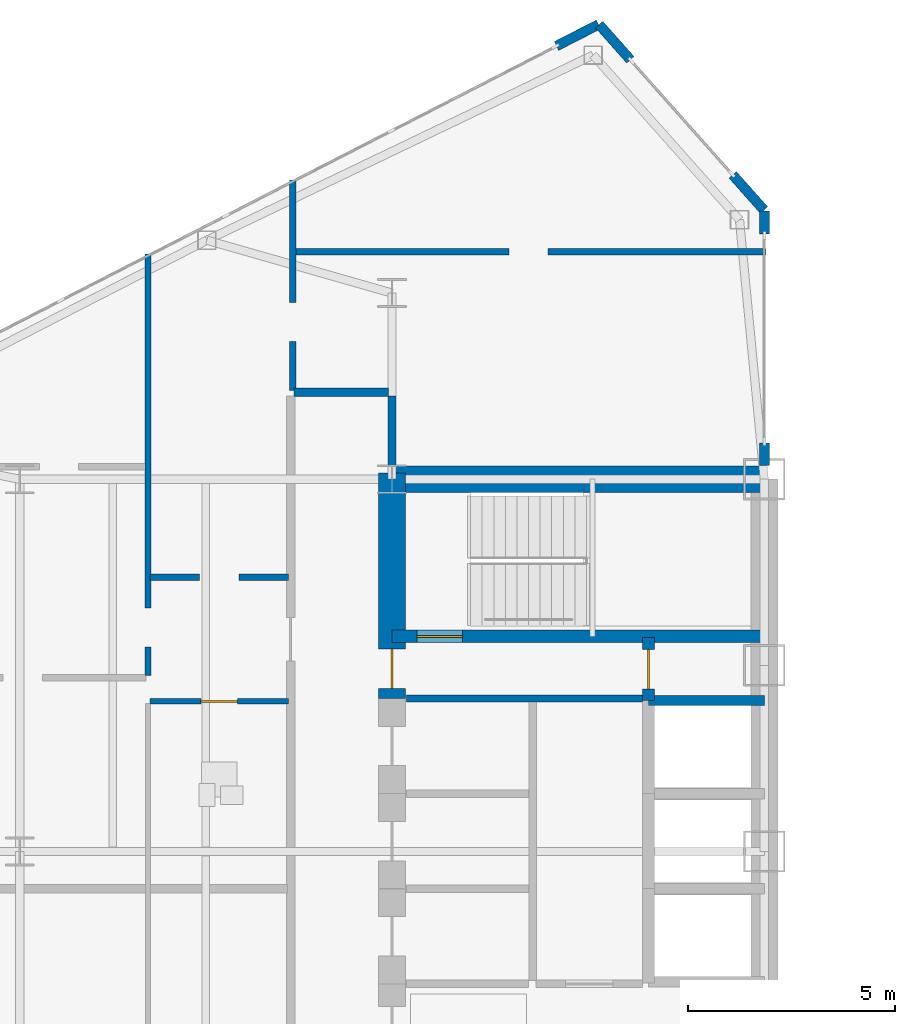
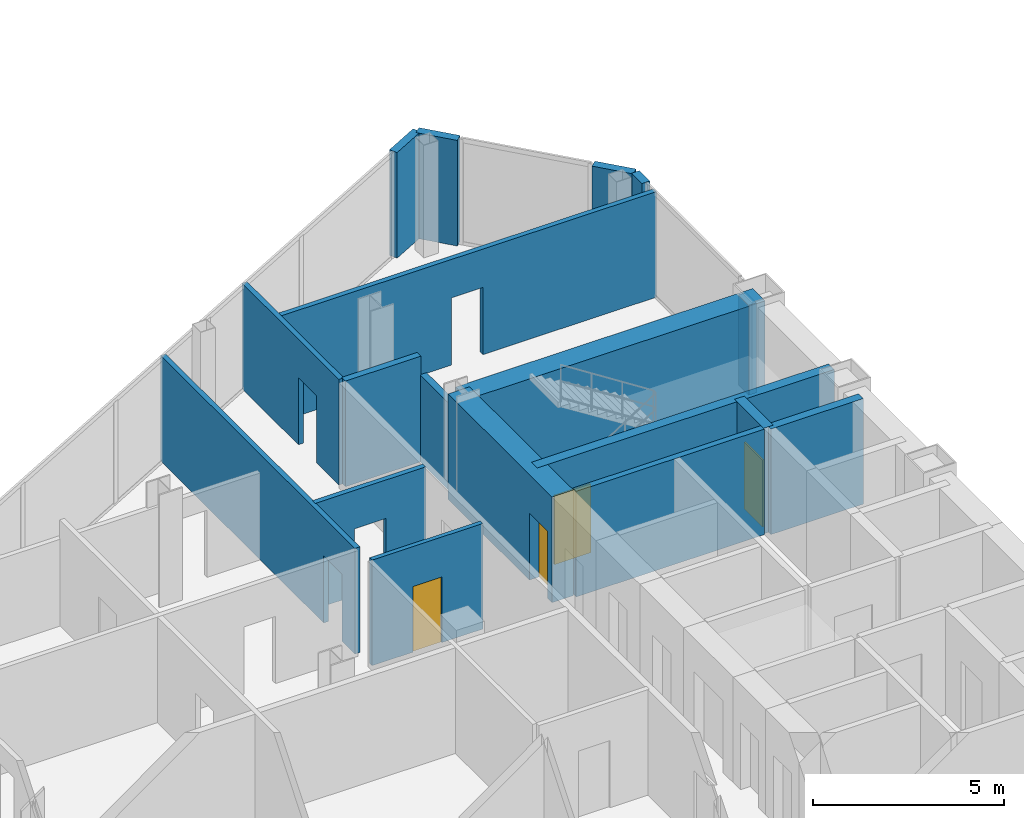
# One storey, part 18 of 24: 18 walls, 4 doors, 8 openings.
"""IFC4 building model written with IfcOpenShell, lengths in metres."""

import ifcopenshell
import ifcopenshell.guid

model = None  # the IFC model being written
_history = None  # IfcOwnerHistory: only IFC2X3 demands one
_inside = {}  # id of a spatial element -> (the spatial element, [elements in it])
_under = {}  # id of a project, library or spatial element -> (it, [spatial elements below it])
_declared = {}  # id of a project -> (the project, [libraries it declares])
_typed = {}  # id of a type object -> (the type object, [elements of that type])
_made_of = {}  # id of a material, layer set ... -> (it, [elements and type objects made of it])


def new_model(schema):
    """Start an empty IFC model of exactly this schema.

    Asked for "IFC4X3", IfcOpenShell would pick the latest addendum, in which some entities
    have other attributes; the version numbers below select the first issue.
    IFC2X3 requires an IfcOwnerHistory on every rooted entity: one is made here for all.
    """
    global model, _history
    if schema == "IFC4X3":
        model = ifcopenshell.file(schema_version=(4, 3, 0, 0))
    else:
        model = ifcopenshell.file(schema=schema)
    _inside.clear()
    _under.clear()
    _declared.clear()
    _typed.clear()
    _made_of.clear()
    _history = None
    if model.schema == "IFC2X3":
        org = make("IfcOrganization", Name="unknown")
        user = make(
            "IfcPersonAndOrganization",
            ThePerson=make("IfcPerson", FamilyName="unknown"),
            TheOrganization=org,
        )
        app = make(
            "IfcApplication",
            ApplicationDeveloper=org,
            Version="unknown",
            ApplicationFullName="unknown",
            ApplicationIdentifier="unknown",
        )
        _history = make(
            "IfcOwnerHistory",
            OwningUser=user,
            OwningApplication=app,
            ChangeAction="ADDED",
            CreationDate=0,
        )
    return model


def make(cls, **values):
    """One entity of the class cls with the attributes given. An attribute that is None is left unset."""
    return model.create_entity(
        cls, **{name: value for name, value in values.items() if value is not None}
    )


def rooted(cls, **values):
    """An entity with a GlobalId (a new one), such as an element, a storey or a relation."""
    return make(cls, GlobalId=ifcopenshell.guid.new(), OwnerHistory=_history, **values)


def si_unit(unit_type, name, prefix=None):
    """IfcSIUnit, for example si_unit("LENGTHUNIT", "METRE", prefix="MILLI")."""
    return make("IfcSIUnit", UnitType=unit_type, Prefix=prefix, Name=name)


def assignment(units):
    """IfcUnitAssignment: the units of a project."""
    return None if units is None else make("IfcUnitAssignment", Units=units)


def point(xyz):
    """IfcCartesianPoint."""
    return None if xyz is None else make("IfcCartesianPoint", Coordinates=xyz)


def direction(xyz):
    """IfcDirection."""
    return None if xyz is None else make("IfcDirection", DirectionRatios=xyz)


def frame(location, z_axis=None, x_axis=None):
    """IfcAxis2Placement3D, a coordinate frame: its origin and axes. An axis left out is left unset."""
    return make(
        "IfcAxis2Placement3D",
        Location=point(location),
        Axis=direction(z_axis),
        RefDirection=direction(x_axis),
    )


def frame_2d(location, x_axis=None):
    """IfcAxis2Placement2D, a coordinate frame in the plane: its origin and x axis."""
    return make(
        "IfcAxis2Placement2D", Location=point(location), RefDirection=direction(x_axis)
    )


def origin():
    """The frame at (0, 0, 0) with its axes left unset."""
    return frame((0.0, 0.0, 0.0))


def place(relative_to, where):
    """IfcLocalPlacement: puts the frame where relative to a parent placement (None: the world)."""
    return make(
        "IfcLocalPlacement", PlacementRelTo=relative_to, RelativePlacement=where
    )


def context(
    kind, dimensions, precision=None, world=None, true_north=None, identifier=None
):
    """IfcGeometricRepresentationContext, for example the 3D "Model" context."""
    return make(
        "IfcGeometricRepresentationContext",
        ContextIdentifier=identifier,
        ContextType=kind,
        CoordinateSpaceDimension=dimensions,
        Precision=precision,
        WorldCoordinateSystem=world,
        TrueNorth=true_north,
    )


def subcontext(parent, identifier, kind, view, scale=None):
    """IfcGeometricRepresentationSubContext, for example "Body" below "Model"."""
    return make(
        "IfcGeometricRepresentationSubContext",
        ContextIdentifier=identifier,
        ContextType=kind,
        ParentContext=parent,
        TargetScale=scale,
        TargetView=view,
    )


def project(units=None, contexts=None):
    """IfcProject with its units and contexts."""
    return rooted(
        "IfcProject",
        Name="project",
        RepresentationContexts=contexts,
        UnitsInContext=assignment(units),
    )


def spatial(cls, under=None, at=None, **own):
    """A site, building, storey or space (cls), placed at a placement, below another one or the project."""
    s = rooted(cls, ObjectPlacement=at, **own)
    if under is not None:
        _under.setdefault(under.id(), (under, []))[1].append(s)
    return s


def profile(cls, at=None, kind="AREA", **sizes):
    """A parametric profile (cls). Its sizes go by their IFC names, for example OverallWidth=200.0."""
    return make(cls, ProfileType=kind, Position=at, **sizes)


def rectangle(**sizes):
    """IfcRectangleProfileDef."""
    return profile("IfcRectangleProfileDef", **sizes)


def extrude(swept, where, along, depth):
    """IfcExtrudedAreaSolid: the profile swept, set in the frame where, extruded along a direction by depth."""
    return make(
        "IfcExtrudedAreaSolid",
        SweptArea=swept,
        Position=where,
        ExtrudedDirection=direction(along),
        Depth=depth,
    )


def shape(context_of_items, identifier, shape_type, items):
    """IfcShapeRepresentation: the items that make up one representation, for example the "Body"."""
    return make(
        "IfcShapeRepresentation",
        ContextOfItems=context_of_items,
        RepresentationIdentifier=identifier,
        RepresentationType=shape_type,
        Items=items,
    )


def source(mapping_origin, context_of_items, identifier, shape_type, items):
    """IfcRepresentationMap: a shape defined once, which mapped items show again and again."""
    return make(
        "IfcRepresentationMap",
        MappingOrigin=mapping_origin,
        MappedRepresentation=shape(context_of_items, identifier, shape_type, items),
    )


def transform(
    local_origin,
    x_axis=None,
    y_axis=None,
    z_axis=None,
    scale=None,
    scale2=None,
    scale3=None,
    uniform=True,
):
    """IfcCartesianTransformationOperator3D, or its non-uniform kind. x_axis, y_axis, z_axis: its Axis1, 2, 3."""
    if uniform:
        return make(
            "IfcCartesianTransformationOperator3D",
            Axis1=direction(x_axis),
            Axis2=direction(y_axis),
            LocalOrigin=point(local_origin),
            Scale=scale,
            Axis3=direction(z_axis),
        )
    return make(
        "IfcCartesianTransformationOperator3DnonUniform",
        Axis1=direction(x_axis),
        Axis2=direction(y_axis),
        LocalOrigin=point(local_origin),
        Scale=scale,
        Axis3=direction(z_axis),
        Scale2=scale2,
        Scale3=scale3,
    )


def mapped(mapping_source, mapping_target):
    """IfcMappedItem: shows the shape of a source again, moved by a transform."""
    return make(
        "IfcMappedItem", MappingSource=mapping_source, MappingTarget=mapping_target
    )


def material(Name=None, Category=None):
    """IfcMaterial."""
    return make("IfcMaterial", Name=Name, Category=Category)


def layer(
    of_material, thickness, ventilated=None, Name=None, Category=None, Priority=None
):
    """IfcMaterialLayer: one layer of a wall or slab, of a material (None: an air gap)."""
    return make(
        "IfcMaterialLayer",
        Material=of_material,
        LayerThickness=thickness,
        IsVentilated=ventilated,
        Name=Name,
        Category=Category,
        Priority=Priority,
    )


def layer_set(layers, Name=None):
    """IfcMaterialLayerSet."""
    return make("IfcMaterialLayerSet", MaterialLayers=layers, LayerSetName=Name)


def made_of(thing, what):
    """Note that an element or type object is made of a material, layer set ...; save() writes the relation."""
    if what is not None:
        _made_of.setdefault(what.id(), (what, []))[1].append(thing)
    return thing


def type_object(cls, material=None, **own):
    """A type object (cls), such as IfcWallType, which elements share."""
    return made_of(rooted(cls, **own), material)


def type_shapes(of_type, sources):
    """Give a type object the sources (RepresentationMaps) that its elements show as mapped items."""
    of_type.RepresentationMaps = sources


def element(
    cls,
    number,
    at=None,
    inside=None,
    cuts=None,
    type_object=None,
    material=None,
    context=None,
    identifier="Body",
    shape_type=None,
    held_by="IfcProductDefinitionShape",
    body=None,
    shapes=None,
    **own,
):
    """One element of the class cls, such as IfcWall. Its Tag is "e" and its number.

    at: its placement. inside: the storey or other place that contains it. cuts: it is an
    opening in that element (IfcRelVoidsElement). A single representation is given by context,
    identifier, shape_type and body (its items); several are given by shapes. held_by: the class
    of the entity that holds the representations. save() writes the other relations.
    """
    e = rooted(cls, Tag="e%d" % number, ObjectPlacement=at, **own)
    if body is not None:
        shapes = [shape(context, identifier, shape_type, body)]
    if shapes is not None:
        e.Representation = make(held_by, Representations=shapes)
    if inside is not None:
        _inside.setdefault(inside.id(), (inside, []))[1].append(e)
    if cuts is not None:
        rooted(
            "IfcRelVoidsElement", RelatingBuildingElement=cuts, RelatedOpeningElement=e
        )
    if type_object is not None:
        _typed.setdefault(type_object.id(), (type_object, []))[1].append(e)
    return made_of(e, material)


def fill(opening, filler):
    """IfcRelFillsElement: the door or window that sits in an opening."""
    return rooted(
        "IfcRelFillsElement",
        RelatingOpeningElement=opening,
        RelatedBuildingElement=filler,
    )


def aggregate(whole, parts):
    """IfcRelAggregates: a whole, such as a stair, and the parts it consists of."""
    return rooted("IfcRelAggregates", RelatingObject=whole, RelatedObjects=parts)


def save(model, path):
    """Write the relations noted so far, then the file.

    IfcRelAggregates (storeys below a building ...), IfcRelContainedInSpatialStructure (elements
    in a storey), IfcRelDefinesByType, IfcRelAssociatesMaterial and IfcRelDeclares: one each for
    every whole, place, type object, material and project.
    """
    for whole, parts in _under.values():
        aggregate(whole, parts)
    for where, things in _inside.values():
        rooted(
            "IfcRelContainedInSpatialStructure",
            RelatedElements=things,
            RelatingStructure=where,
        )
    for kind, things in _typed.values():
        rooted("IfcRelDefinesByType", RelatedObjects=things, RelatingType=kind)
    for what, things in _made_of.values():
        rooted("IfcRelAssociatesMaterial", RelatedObjects=things, RelatingMaterial=what)
    for by, libraries in _declared.values():
        rooted("IfcRelDeclares", RelatingContext=by, RelatedDefinitions=libraries)
    model.write(path)


model = new_model("IFC4")

# Units and contexts
model_context = context("Model", 3, precision=1e-05, world=origin(), true_north=direction((0.0, 1.0)))
body_context = subcontext(model_context, "Body", "Model", "MODEL_VIEW")
ifc_project = project(units=[si_unit("LENGTHUNIT", "METRE"), si_unit("AREAUNIT", "SQUARE_METRE"), si_unit("VOLUMEUNIT", "CUBIC_METRE"), si_unit("PLANEANGLEUNIT", "RADIAN"), si_unit("MASSUNIT", "GRAM", prefix="KILO")], contexts=[model_context])

# Site, building, storey
site_placement = place(None, origin())
site = spatial("IfcSite", under=ifc_project, at=site_placement, CompositionType="ELEMENT")
building_placement = place(site_placement, origin())
building = spatial("IfcBuilding", under=site, at=building_placement, Name="Seokmaru Belvedere", CompositionType="ELEMENT")
storey_placement = place(building_placement, frame((0.0, 0.0, 121.199951171875)))
storey = spatial("IfcBuildingStorey", under=building, at=storey_placement, Name="L32", CompositionType="ELEMENT", Elevation=121.199951171875)

# Wall, opening
ifc_material_1 = material(Name="Fire-Rated Gypsum Shaftwall")
ifc_layer_1 = layer(ifc_material_1, 0.14990234375)
ifc_layer_set_1 = layer_set([ifc_layer_1], Name="Fire-Rated Gypsum Shaftwall")
wall_type_1 = type_object("IfcWallType", Name="Apartment Fire-Acoustic Room Partition 150", PredefinedType="PARTITIONING", material=ifc_layer_set_1)
wall_1_placement = place(storey_placement, frame((-42.35009765625, 11.1298828125, 0.0), z_axis=(0.0, 0.0, 1.0), x_axis=(1.0, 0.0, 0.0)))
wall_1 = element("IfcWall", 1, at=wall_1_placement, inside=storey, type_object=wall_type_1, Name="L32 Interior Partition 022", PredefinedType="PARTITIONING", context=body_context, shape_type="SweptSolid", body=[
    extrude(rectangle(XDim=3.35009765625, YDim=0.14990234375, at=frame_2d((1.675048828125, 0.0))), origin(), (0.0, 0.0, 1.0), 3.380126953125),
])
opening_1_placement = place(wall_1_placement, frame((1.199951171875, 0.0, 0.0)))
element("IfcOpeningElement", 2, at=opening_1_placement, cuts=wall_1, Name="L32 Cased Opening 018", PredefinedType="OPENING", context=body_context, shape_type="SweptSolid", body=[
    extrude(rectangle(XDim=0.949951171875, YDim=2.14990234375, at=frame_2d((0.47509765625, 1.074951171875))), frame((0.0, 0.0849609375, 0.0), z_axis=(0.0, -1.0, 0.0), x_axis=(1.0, 0.0, 0.0)), (0.0, 0.0, 1.0), 0.169921875),
])

wall_2_placement = place(storey_placement, frame((-38.85009765625, 19.0, 0.0), z_axis=(0.0, 0.0, 1.0), x_axis=(1.0, 0.0, 0.0)))
wall_2 = element("IfcWall", 3, at=wall_2_placement, inside=storey, type_object=wall_type_1, Name="L32 Interior Partition 026", PredefinedType="PARTITIONING", context=body_context, shape_type="SweptSolid", body=[
    extrude(rectangle(XDim=11.385009765625, YDim=0.14990234375, at=frame_2d((5.6923828125, 0.0))), origin(), (0.0, 0.0, 1.0), 3.380126953125),
])
opening_2_placement = place(wall_2_placement, frame((5.175048828125, 0.0, 0.0)))
element("IfcOpeningElement", 4, at=opening_2_placement, cuts=wall_2, Name="L32 Cased Opening 028", PredefinedType="OPENING", context=body_context, shape_type="SweptSolid", body=[
    extrude(rectangle(XDim=0.949951171875, YDim=2.14990234375, at=frame_2d((0.47509765625, 1.074951171875))), frame((0.0, 0.0849609375, 0.0), z_axis=(0.0, -1.0, 0.0), x_axis=(1.0, 0.0, 0.0)), (0.0, 0.0, 1.0), 0.169921875),
])

wall_3_placement = place(storey_placement, frame((-42.39990234375, 8.751953125, 0.0), z_axis=(0.0, 0.0, 1.0), x_axis=(0.0, 1.0, 0.0)))
wall_3 = element("IfcWall", 5, at=wall_3_placement, inside=storey, type_object=wall_type_1, Name="L32 Interior Partition 032", PredefinedType="PARTITIONING", context=body_context, shape_type="SweptSolid", body=[
    extrude(rectangle(XDim=10.18994140625, YDim=0.14990234375, at=frame_2d((5.094970703125, 0.0))), origin(), (0.0, 0.0, 1.0), 3.380126953125),
])
opening_3_placement = place(wall_3_placement, frame((0.687744140625, 0.0, 0.0)))
element("IfcOpeningElement", 6, at=opening_3_placement, cuts=wall_3, Name="L32 Cased Opening 019", PredefinedType="OPENING", context=body_context, shape_type="SweptSolid", body=[
    extrude(rectangle(XDim=0.949951171875, YDim=2.14990234375, at=frame_2d((0.47509765625, 1.074951171875))), frame((0.0, 0.0849609375, 0.0), z_axis=(0.0, -1.0, 0.0), x_axis=(1.0, 0.0, 0.0)), (0.0, 0.0, 1.0), 0.169921875),
])

wall_4_placement = place(storey_placement, frame((-38.89990234375, 15.64990234375, 0.0), z_axis=(0.0, 0.0, 1.0), x_axis=(0.0, 1.0, 0.0)))
wall_4 = element("IfcWall", 7, at=wall_4_placement, inside=storey, type_object=wall_type_1, Name="L32 Interior Partition 034", PredefinedType="PARTITIONING", context=body_context, shape_type="SweptSolid", body=[
    extrude(rectangle(XDim=5.088134765625, YDim=0.14990234375, at=frame_2d((2.5439453125, 0.0))), origin(), (0.0, 0.0, 1.0), 3.380126953125),
])
opening_4_placement = place(wall_4_placement, frame((1.175048828125, 0.0, 0.0)))
element("IfcOpeningElement", 8, at=opening_4_placement, cuts=wall_4, Name="L32 Cased Opening 027", PredefinedType="OPENING", context=body_context, shape_type="SweptSolid", body=[
    extrude(rectangle(XDim=0.949951171875, YDim=2.14990234375, at=frame_2d((0.47509765625, 1.074951171875))), frame((0.0, 0.0849609375, 0.0), z_axis=(0.0, -1.0, 0.0), x_axis=(1.0, 0.0, 0.0)), (0.0, 0.0, 1.0), 0.169921875),
])

# Walls
ifc_layer_2 = layer(ifc_material_1, 0.179931640625)
ifc_layer_set_2 = layer_set([ifc_layer_2], Name="Fire-Rated Gypsum Shaftwall")
wall_type_2 = type_object("IfcWallType", Name="Core Service Fire Partition 180", PredefinedType="PARTITIONING", material=ifc_layer_set_2)
wall_5_placement = place(storey_placement, frame((-36.14990234375, 8.199951171875, 0.0), z_axis=(0.0, 0.0, 1.0), x_axis=(1.0, 0.0, 0.0)))
element("IfcWall", 9, at=wall_5_placement, inside=storey, type_object=wall_type_2, Name="L32 West Smokeproof Vestibule Partition", PredefinedType="PARTITIONING", context=body_context, shape_type="SweptSolid", body=[
    extrude(rectangle(XDim=5.699951171875, YDim=0.179931640625, at=frame_2d((2.85009765625, 0.0))), origin(), (0.0, 0.0, 1.0), 3.380126953125),
])
ifc_material_2 = material(Name="Concrete C50 (50 MPa)", Category="concrete")
ifc_layer_3 = layer(ifc_material_2, 0.25)
ifc_layer_set_3 = layer_set([ifc_layer_3], Name="Concrete C50 (50 MPa)")
wall_type_3 = type_object("IfcWallType", Name="Hoistway Transverse Concrete Divider Wall 250", PredefinedType="SHEAR", material=ifc_layer_set_3)
wall_6_placement = place(storey_placement, frame((-30.300048828125, 8.14990234375, 0.0), z_axis=(0.0, 0.0, 1.0), x_axis=(1.0, 0.0, 0.0)))
element("IfcWall", 10, at=wall_6_placement, inside=storey, type_object=wall_type_3, Name="L32 West Hoistway Divider Core Wall 7", PredefinedType="SHEAR", context=body_context, shape_type="SweptSolid", body=[
    extrude(rectangle(XDim=2.800048828125, YDim=0.25, at=frame_2d((1.39990234375, 0.0))), origin(), (0.0, 0.0, 1.0), 3.380126953125),
])
ifc_layer_4 = layer(ifc_material_1, 0.199951171875)
ifc_layer_set_4 = layer_set([ifc_layer_4], Name="Fire-Rated Gypsum Shaftwall")
wall_type_4 = type_object("IfcWallType", Name="Inter-Tenancy Fire Compartment Partition 200", PredefinedType="PARTITIONING", material=ifc_layer_set_4)
wall_7_placement = place(storey_placement, frame((-38.864990234375, 15.60009765625, 0.0), z_axis=(0.0, 0.0, 1.0), x_axis=(1.0, 0.0, 0.0)))
element("IfcWall", 11, at=wall_7_placement, inside=storey, type_object=wall_type_4, Name="L32 Interior Partition 024", PredefinedType="PARTITIONING", context=body_context, shape_type="SweptSolid", body=[
    extrude(rectangle(XDim=2.280029296875, YDim=0.199951171875, at=frame_2d((1.14013671875, 0.0))), origin(), (0.0, 0.0, 1.0), 3.380126953125),
])
wall_8_placement = place(storey_placement, frame((-36.5, 13.830078125, 0.0), z_axis=(0.0, 0.0, 1.0), x_axis=(0.0, 1.0, 0.0)))
element("IfcWall", 12, at=wall_8_placement, inside=storey, type_object=wall_type_4, Name="L32 Interior Partition 036", PredefinedType="PARTITIONING", context=body_context, shape_type="SweptSolid", body=[
    extrude(rectangle(XDim=1.684814453125, YDim=0.199951171875, at=frame_2d((0.84228515625, 0.0))), origin(), (0.0, 0.0, 1.0), 2.780029296875),
])

# Wall, opening, door
ifc_layer_5 = layer(ifc_material_2, 0.300048828125)
ifc_layer_set_5 = layer_set([ifc_layer_5], Name="Concrete C50 (50 MPa)")
wall_type_5 = type_object("IfcWallType", Name="Internal Core Stair and Hoistway Wall 300", PredefinedType="SHEAR", material=ifc_layer_set_5)
wall_9_placement = place(storey_placement, frame((-36.5, 9.699951171875, 0.0), z_axis=(0.0, 0.0, 1.0), x_axis=(1.0, 0.0, 0.0)))
wall_9 = element("IfcWall", 13, at=wall_9_placement, inside=storey, type_object=wall_type_5, Name="L32 West Stair ST-2 Enclosure Wall", PredefinedType="SHEAR", context=body_context, shape_type="SweptSolid", body=[
    extrude(rectangle(XDim=9.0, YDim=0.300048828125, at=frame_2d((4.5, 0.0))), origin(), (0.0, 0.0, 1.0), 3.380126953125),
])
opening_5_placement = place(wall_9_placement, frame((0.60009765625, 0.0, 0.0)))
opening_5 = element("IfcOpeningElement", 14, at=opening_5_placement, cuts=wall_9, Name="Opening D01", PredefinedType="OPENING", context=body_context, shape_type="SweptSolid", body=[
    extrude(rectangle(XDim=1.10009765625, YDim=2.199951171875, at=frame_2d((0.550048828125, 1.10009765625))), frame((0.0, 0.16015625, 0.0), z_axis=(0.0, -1.0, 0.0), x_axis=(1.0, 0.0, 0.0)), (0.0, 0.0, 1.0), 0.320068359375),
])
ifc_material_3 = material(Name="Fire-Rated Steel Leaf", Category="steel")
door_type_1 = type_object("IfcDoorType", Name="Special Escape Stair Smokeproof Fire Door 1100x2200", OperationType="NOTDEFINED", PredefinedType="DOOR", material=ifc_material_3)
shared_shape_1 = source(origin(), body_context, "Body", "SweptSolid", [
    extrude(rectangle(XDim=1.10009765625, YDim=2.199951171875, at=frame_2d((0.550048828125, 1.10009765625))), frame((0.0, 0.02490234375, 0.0), z_axis=(0.0, -1.0, 0.0), x_axis=(1.0, 0.0, 0.0)), (0.0, 0.0, 1.0), 0.050048828125),
])
type_shapes(door_type_1, [shared_shape_1])
door_1_placement = place(opening_5_placement, origin())
door_1 = element("IfcDoor", 15, at=door_1_placement, inside=storey, type_object=door_type_1, Name="L32 West Special Escape Stair ST-2 Door", OperationType="SINGLE_SWING_RIGHT", OverallHeight=2.199951171875, OverallWidth=1.10009765625, PredefinedType="DOOR", context=body_context, shape_type="MappedRepresentation", body=[
    mapped(shared_shape_1, transform((0.0, 0.0, 0.0), scale=1.0)),
])
fill(opening_5, door_1)

wall_10_placement = place(storey_placement, frame((-30.300048828125, 8.14990234375, 0.0), z_axis=(0.0, 0.0, 1.0), x_axis=(0.0, 1.0, 0.0)))
wall_10 = element("IfcWall", 16, at=wall_10_placement, inside=storey, type_object=wall_type_5, Name="L32 West Electrical Riser Front Wall", PredefinedType="SHEAR", context=body_context, shape_type="SweptSolid", body=[
    extrude(rectangle(XDim=1.530029296875, YDim=0.300048828125, at=frame_2d((0.76513671875, 0.0))), origin(), (0.0, 0.0, 1.0), 3.380126953125),
])
opening_6_placement = place(wall_10_placement, frame((0.284912109375, 0.0, 0.0)))
opening_6 = element("IfcOpeningElement", 17, at=opening_6_placement, cuts=wall_10, Name="Opening D04", PredefinedType="OPENING", context=body_context, shape_type="SweptSolid", body=[
    extrude(rectangle(XDim=0.949951171875, YDim=2.14990234375, at=frame_2d((0.47509765625, 1.074951171875))), frame((0.0, 0.16015625, 0.0), z_axis=(0.0, -1.0, 0.0), x_axis=(1.0, 0.0, 0.0)), (0.0, 0.0, 1.0), 0.320068359375),
])
door_type_2 = type_object("IfcDoorType", Name="Core Service Room Fire Door 950x2150", OperationType="NOTDEFINED", PredefinedType="DOOR", material=ifc_material_3)
shared_shape_2 = source(origin(), body_context, "Body", "SweptSolid", [
    extrude(rectangle(XDim=0.949951171875, YDim=2.14990234375, at=frame_2d((0.47509765625, 1.074951171875))), frame((0.0, 0.02490234375, 0.0), z_axis=(0.0, -1.0, 0.0), x_axis=(1.0, 0.0, 0.0)), (0.0, 0.0, 1.0), 0.050048828125),
])
type_shapes(door_type_2, [shared_shape_2])
door_2_placement = place(opening_6_placement, origin())
door_2 = element("IfcDoor", 18, at=door_2_placement, inside=storey, type_object=door_type_2, Name="L32 West Electrical Riser Access Door", OperationType="SINGLE_SWING_LEFT", OverallHeight=2.14990234375, OverallWidth=0.949951171875, PredefinedType="DOOR", context=body_context, shape_type="MappedRepresentation", body=[
    mapped(shared_shape_2, transform((0.0, 0.0, 0.0), scale=1.0)),
])
fill(opening_6, door_2)

# Wall
ifc_material_4 = material(Name="Concrete C60 (60 MPa)", Category="concrete")
ifc_layer_6 = layer(ifc_material_4, 0.64990234375)
ifc_layer_set_6 = layer_set([ifc_layer_6], Name="Concrete C60 (60 MPa)")
wall_type_6 = type_object("IfcWallType", Name="Mid-Low Reinforced Concrete Core Wall 650", PredefinedType="SHEAR", material=ifc_layer_set_6)
wall_11_placement = place(storey_placement, frame((-36.5, 13.5, 0.0), z_axis=(0.0, 0.0, 1.0), x_axis=(1.0, 0.0, 0.0)))
element("IfcWall", 19, at=wall_11_placement, inside=storey, type_object=wall_type_6, Name="L32 West North Core Wall", PredefinedType="SHEAR", context=body_context, shape_type="SweptSolid", body=[
    extrude(rectangle(XDim=9.0, YDim=0.64990234375, at=frame_2d((4.5, 0.0))), origin(), (0.0, 0.0, 1.0), 3.380126953125),
])

# Wall, opening, door
wall_12_placement = place(storey_placement, frame((-36.5, 8.199951171875, 0.0), z_axis=(0.0, 0.0, 1.0), x_axis=(0.0, 1.0, 0.0)))
wall_12 = element("IfcWall", 20, at=wall_12_placement, inside=storey, type_object=wall_type_6, Name="L32 West West Core Wall VST", PredefinedType="SHEAR", context=body_context, shape_type="SweptSolid", body=[
    extrude(rectangle(XDim=5.449951171875, YDim=0.64990234375, at=frame_2d((2.72509765625, 0.0))), origin(), (0.0, 0.0, 1.0), 3.380126953125),
])
opening_7_placement = place(wall_12_placement, frame((0.2451171875, 0.0, 0.0)))
opening_7 = element("IfcOpeningElement", 21, at=opening_7_placement, cuts=wall_12, Name="Opening D04", PredefinedType="OPENING", context=body_context, shape_type="SweptSolid", body=[
    extrude(rectangle(XDim=0.949951171875, YDim=2.14990234375, at=frame_2d((0.47509765625, 1.074951171875))), frame((0.0, 0.3349609375, 0.0), z_axis=(0.0, -1.0, 0.0), x_axis=(1.0, 0.0, 0.0)), (0.0, 0.0, 1.0), 0.669921875),
])
door_3_placement = place(opening_7_placement, frame((0.949951171875, 0.0, 0.0), z_axis=(0.0, 0.0, 1.0), x_axis=(-1.0, 0.0, 0.0)))
door_3 = element("IfcDoor", 22, at=door_3_placement, inside=storey, type_object=door_type_2, Name="L32 West Smokeproof Vestibule Door", OperationType="SINGLE_SWING_RIGHT", OverallHeight=2.14990234375, OverallWidth=0.949951171875, PredefinedType="DOOR", context=body_context, shape_type="MappedRepresentation", body=[
    mapped(shared_shape_2, transform((0.0, 0.0, 0.0), scale=1.0)),
])
fill(opening_7, door_3)

ifc_layer_7 = layer(ifc_material_1, 0.1298828125)
ifc_layer_set_7 = layer_set([ifc_layer_7], Name="Fire-Rated Gypsum Shaftwall")
wall_type_7 = type_object("IfcWallType", Name="Moisture-Resistant Fire-Rated Bathroom Partition 130", PredefinedType="PARTITIONING", material=ifc_layer_set_7)
wall_13_placement = place(storey_placement, frame((-42.35009765625, 8.1298828125, 0.0), z_axis=(0.0, 0.0, 1.0), x_axis=(1.0, 0.0, 0.0)))
wall_13 = element("IfcWall", 23, at=wall_13_placement, inside=storey, type_object=wall_type_7, Name="L32 Interior Partition 019", PredefinedType="PARTITIONING", context=body_context, shape_type="SweptSolid", body=[
    extrude(rectangle(XDim=3.35009765625, YDim=0.1298828125, at=frame_2d((1.675048828125, 0.0))), origin(), (0.0, 0.0, 1.0), 3.380126953125),
])
opening_8_placement = place(wall_13_placement, frame((1.235107421875, 0.0, 0.0)))
opening_8 = element("IfcOpeningElement", 24, at=opening_8_placement, cuts=wall_13, Name="Opening D06", PredefinedType="OPENING", context=body_context, shape_type="SweptSolid", body=[
    extrude(rectangle(XDim=0.8798828125, YDim=2.10009765625, at=frame_2d((0.43994140625, 1.050048828125))), frame((0.0, 0.074951171875, 0.0), z_axis=(0.0, -1.0, 0.0), x_axis=(1.0, 0.0, 0.0)), (0.0, 0.0, 1.0), 0.14990234375),
])
ifc_material_5 = material(Name="Engineered White Oak Timber", Category="wood")
door_type_3 = type_object("IfcDoorType", Name="Bathroom and Restroom Fire-Rated Door 880x2100", OperationType="NOTDEFINED", PredefinedType="DOOR", material=ifc_material_5)
shared_shape_3 = source(origin(), body_context, "Body", "SweptSolid", [
    extrude(rectangle(XDim=0.8798828125, YDim=2.10009765625, at=frame_2d((0.43994140625, 1.050048828125))), frame((0.0, 0.02490234375, 0.0), z_axis=(0.0, -1.0, 0.0), x_axis=(1.0, 0.0, 0.0)), (0.0, 0.0, 1.0), 0.050048828125),
])
type_shapes(door_type_3, [shared_shape_3])
door_4_placement = place(opening_8_placement, origin())
door_4 = element("IfcDoor", 25, at=door_4_placement, inside=storey, type_object=door_type_3, Name="L32 Interior Door 017", OperationType="SINGLE_SWING_LEFT", OverallHeight=2.10009765625, OverallWidth=0.8798828125, PredefinedType="DOOR", context=body_context, shape_type="MappedRepresentation", body=[
    mapped(shared_shape_3, transform((0.0, 0.0, 0.0), scale=1.0)),
])
fill(opening_8, door_4)

# Walls
ifc_material_6 = material(Name="Anodised Bronze Aluminium", Category="aluminium")
ifc_layer_8 = layer(ifc_material_6, 0.239990234375)
ifc_layer_set_8 = layer_set([ifc_layer_8], Name="Anodised Bronze Aluminium")
wall_type_8 = type_object("IfcWallType", Name="Tower Corner Spandrel Closure Wall 240", PredefinedType="SOLIDWALL", material=ifc_layer_set_8)
wall_14_placement = place(storey_placement, frame((-27.5, 13.830078125, 0.0), z_axis=(0.0, 0.0, 1.0), x_axis=(0.0, 1.0, 0.0)))
element("IfcWall", 26, at=wall_14_placement, inside=storey, type_object=wall_type_8, Name="L32 W Spine Closure Pier 2A", PredefinedType="SOLIDWALL", context=body_context, shape_type="SweptSolid", body=[
    extrude(rectangle(XDim=0.5498046875, YDim=0.239990234375, at=frame_2d((0.27490234375, 0.0))), origin(), (0.0, 0.0, 1.0), 2.880126953125),
])
wall_15_placement = place(storey_placement, frame((-27.5, 19.429931640625, 0.0), z_axis=(0.0, 0.0, 1.0), x_axis=(0.0, 1.0, 0.0)))
element("IfcWall", 27, at=wall_15_placement, inside=storey, type_object=wall_type_8, Name="L32 W Spine Closure Pier 2B", PredefinedType="SOLIDWALL", context=body_context, shape_type="SweptSolid", body=[
    extrude(rectangle(XDim=0.550048828125, YDim=0.239990234375, at=frame_2d((0.27490234375, 0.0))), origin(), (0.0, 0.0, 1.0), 3.380126953125),
])
for number, where, z_axis, x_axis, name in (
    (28, (-27.506591796875, 20.007568359375, 0.0), (0.0, 0.0, 1.0), (-0.664337252513, 0.747432950119, 0.0), "L32 W Corner Closure Pier 2A"),
    (29, (-30.736083984375, 23.640380859375, 0.0), (0.0, 0.0, 1.0), (-0.664337252513, 0.747432950119, 0.0), "L32 W Corner Closure Pier 2B"),
):
    element("IfcWall", number, at=place(storey_placement, frame(where, z_axis=z_axis, x_axis=x_axis)), inside=storey, type_object=wall_type_8, Name=name, PredefinedType="SOLIDWALL", context=body_context, shape_type="SweptSolid", body=[
        extrude(rectangle(XDim=1.139892578125, YDim=0.239990234375, at=frame_2d((0.56982421875, 0.0))), origin(), (0.0, 0.0, 1.0), 3.380126953125),
    ])
wall_16_placement = place(storey_placement, frame((-31.5087890625, 24.495361328125, 0.0), z_axis=(0.0, 0.0, 1.0), x_axis=(-0.889797395748, -0.456355776255, 0.0)))
element("IfcWall", 30, at=wall_16_placement, inside=storey, type_object=wall_type_8, Name="L32 W Corner Closure Pier 3A", PredefinedType="SOLIDWALL", context=body_context, shape_type="SweptSolid", body=[
    extrude(rectangle(XDim=1.14013671875, YDim=0.239990234375, at=frame_2d((0.570068359375, 0.0))), origin(), (0.0, 0.0, 1.0), 3.380126953125),
])

save(model, "model.ifc")
